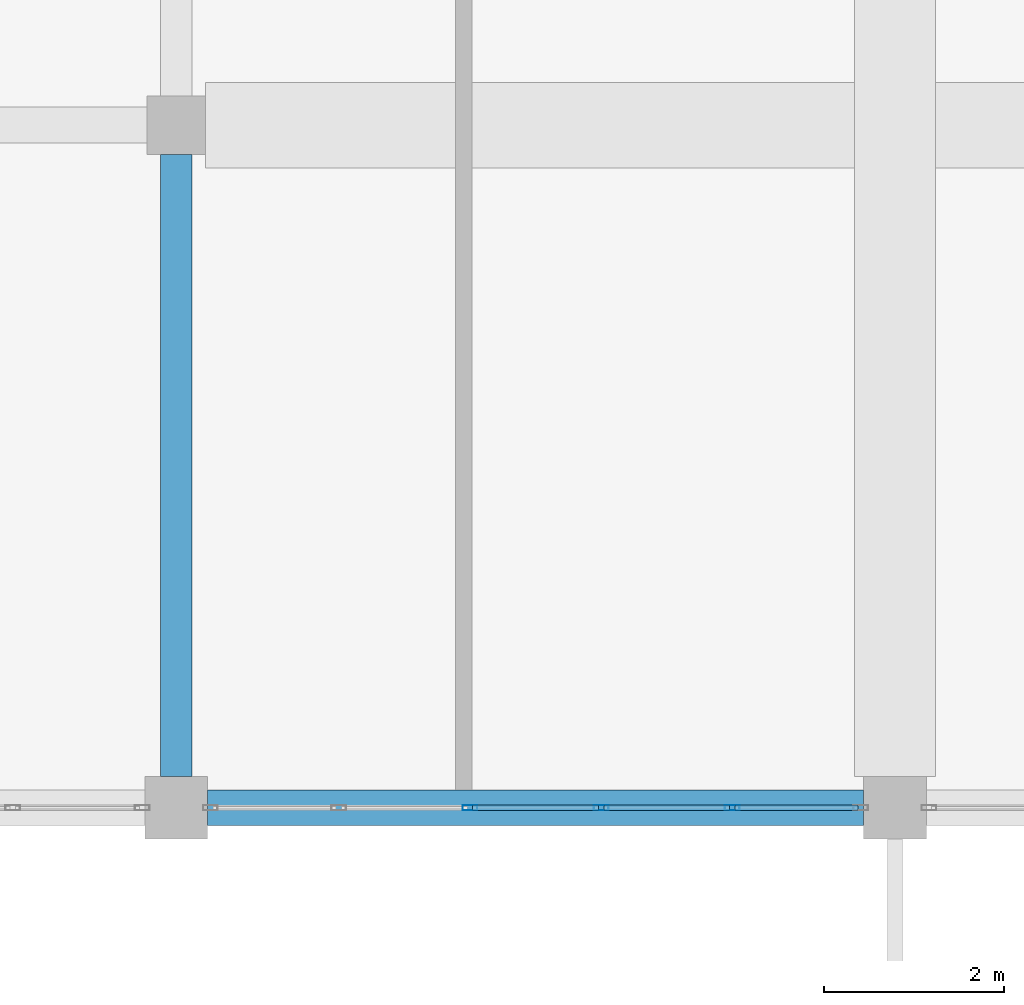
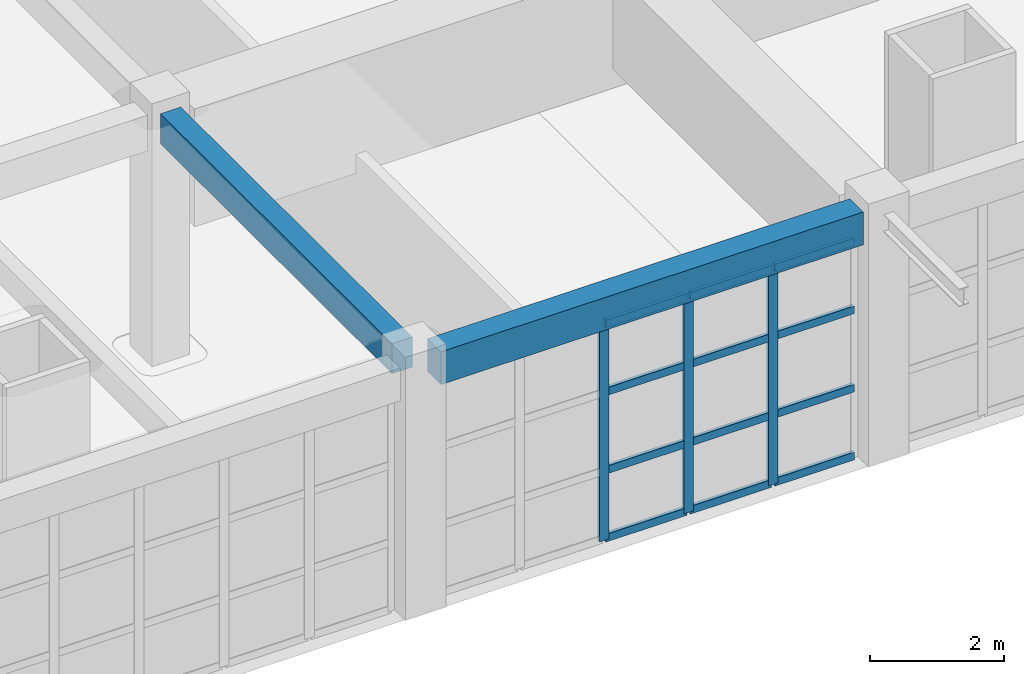
# One storey, part 5 of 50: 15 members, 2 beams, 1 element without a shape of its own.
"""IFC4 building model written with IfcOpenShell, lengths in metres."""

import ifcopenshell
import ifcopenshell.guid

model = None  # the IFC model being written
_history = None  # IfcOwnerHistory: only IFC2X3 demands one
_inside = {}  # id of a spatial element -> (the spatial element, [elements in it])
_under = {}  # id of a project, library or spatial element -> (it, [spatial elements below it])
_declared = {}  # id of a project -> (the project, [libraries it declares])
_typed = {}  # id of a type object -> (the type object, [elements of that type])
_made_of = {}  # id of a material, layer set ... -> (it, [elements and type objects made of it])


def new_model(schema):
    """Start an empty IFC model of exactly this schema.

    Asked for "IFC4X3", IfcOpenShell would pick the latest addendum, in which some entities
    have other attributes; the version numbers below select the first issue.
    IFC2X3 requires an IfcOwnerHistory on every rooted entity: one is made here for all.
    """
    global model, _history
    if schema == "IFC4X3":
        model = ifcopenshell.file(schema_version=(4, 3, 0, 0))
    else:
        model = ifcopenshell.file(schema=schema)
    _inside.clear()
    _under.clear()
    _declared.clear()
    _typed.clear()
    _made_of.clear()
    _history = None
    if model.schema == "IFC2X3":
        org = make("IfcOrganization", Name="unknown")
        user = make(
            "IfcPersonAndOrganization",
            ThePerson=make("IfcPerson", FamilyName="unknown"),
            TheOrganization=org,
        )
        app = make(
            "IfcApplication",
            ApplicationDeveloper=org,
            Version="unknown",
            ApplicationFullName="unknown",
            ApplicationIdentifier="unknown",
        )
        _history = make(
            "IfcOwnerHistory",
            OwningUser=user,
            OwningApplication=app,
            ChangeAction="ADDED",
            CreationDate=0,
        )
    return model


def make(cls, **values):
    """One entity of the class cls with the attributes given. An attribute that is None is left unset."""
    return model.create_entity(
        cls, **{name: value for name, value in values.items() if value is not None}
    )


def rooted(cls, **values):
    """An entity with a GlobalId (a new one), such as an element, a storey or a relation."""
    return make(cls, GlobalId=ifcopenshell.guid.new(), OwnerHistory=_history, **values)


def si_unit(unit_type, name, prefix=None):
    """IfcSIUnit, for example si_unit("LENGTHUNIT", "METRE", prefix="MILLI")."""
    return make("IfcSIUnit", UnitType=unit_type, Prefix=prefix, Name=name)


def assignment(units):
    """IfcUnitAssignment: the units of a project."""
    return None if units is None else make("IfcUnitAssignment", Units=units)


def point(xyz):
    """IfcCartesianPoint."""
    return None if xyz is None else make("IfcCartesianPoint", Coordinates=xyz)


def direction(xyz):
    """IfcDirection."""
    return None if xyz is None else make("IfcDirection", DirectionRatios=xyz)


def frame(location, z_axis=None, x_axis=None):
    """IfcAxis2Placement3D, a coordinate frame: its origin and axes. An axis left out is left unset."""
    return make(
        "IfcAxis2Placement3D",
        Location=point(location),
        Axis=direction(z_axis),
        RefDirection=direction(x_axis),
    )


def frame_2d(location, x_axis=None):
    """IfcAxis2Placement2D, a coordinate frame in the plane: its origin and x axis."""
    return make(
        "IfcAxis2Placement2D", Location=point(location), RefDirection=direction(x_axis)
    )


def origin():
    """The frame at (0, 0, 0) with its axes left unset."""
    return frame((0.0, 0.0, 0.0))


def origin_2d():
    """The frame at (0, 0) in the plane with its x axis left unset."""
    return frame_2d((0.0, 0.0))


def place(relative_to, where):
    """IfcLocalPlacement: puts the frame where relative to a parent placement (None: the world)."""
    return make(
        "IfcLocalPlacement", PlacementRelTo=relative_to, RelativePlacement=where
    )


def context(
    kind, dimensions, precision=None, world=None, true_north=None, identifier=None
):
    """IfcGeometricRepresentationContext, for example the 3D "Model" context."""
    return make(
        "IfcGeometricRepresentationContext",
        ContextIdentifier=identifier,
        ContextType=kind,
        CoordinateSpaceDimension=dimensions,
        Precision=precision,
        WorldCoordinateSystem=world,
        TrueNorth=true_north,
    )


def subcontext(parent, identifier, kind, view, scale=None):
    """IfcGeometricRepresentationSubContext, for example "Body" below "Model"."""
    return make(
        "IfcGeometricRepresentationSubContext",
        ContextIdentifier=identifier,
        ContextType=kind,
        ParentContext=parent,
        TargetScale=scale,
        TargetView=view,
    )


def project(units=None, contexts=None):
    """IfcProject with its units and contexts."""
    return rooted(
        "IfcProject",
        Name="project",
        RepresentationContexts=contexts,
        UnitsInContext=assignment(units),
    )


def spatial(cls, under=None, at=None, **own):
    """A site, building, storey or space (cls), placed at a placement, below another one or the project."""
    s = rooted(cls, ObjectPlacement=at, **own)
    if under is not None:
        _under.setdefault(under.id(), (under, []))[1].append(s)
    return s


def profile(cls, at=None, kind="AREA", **sizes):
    """A parametric profile (cls). Its sizes go by their IFC names, for example OverallWidth=200.0."""
    return make(cls, ProfileType=kind, Position=at, **sizes)


def rectangle(**sizes):
    """IfcRectangleProfileDef."""
    return profile("IfcRectangleProfileDef", **sizes)


def hollow_rectangle(**sizes):
    """IfcRectangleHollowProfileDef."""
    return profile("IfcRectangleHollowProfileDef", **sizes)


def extrude(swept, where, along, depth):
    """IfcExtrudedAreaSolid: the profile swept, set in the frame where, extruded along a direction by depth."""
    return make(
        "IfcExtrudedAreaSolid",
        SweptArea=swept,
        Position=where,
        ExtrudedDirection=direction(along),
        Depth=depth,
    )


def shape(context_of_items, identifier, shape_type, items):
    """IfcShapeRepresentation: the items that make up one representation, for example the "Body"."""
    return make(
        "IfcShapeRepresentation",
        ContextOfItems=context_of_items,
        RepresentationIdentifier=identifier,
        RepresentationType=shape_type,
        Items=items,
    )


def material(Name=None, Category=None):
    """IfcMaterial."""
    return make("IfcMaterial", Name=Name, Category=Category)


def material_profile(
    of_material, cross_section, Name=None, Category=None, Priority=None
):
    """IfcMaterialProfile: a cross section and its material."""
    return make(
        "IfcMaterialProfile",
        Name=Name,
        Material=of_material,
        Profile=cross_section,
        Priority=Priority,
        Category=Category,
    )


def profile_set(profiles, Name=None, composite=None):
    """IfcMaterialProfileSet."""
    return make(
        "IfcMaterialProfileSet",
        Name=Name,
        MaterialProfiles=profiles,
        CompositeProfile=composite,
    )


def made_of(thing, what):
    """Note that an element or type object is made of a material, layer set ...; save() writes the relation."""
    if what is not None:
        _made_of.setdefault(what.id(), (what, []))[1].append(thing)
    return thing


def type_object(cls, material=None, **own):
    """A type object (cls), such as IfcWallType, which elements share."""
    return made_of(rooted(cls, **own), material)


def element(
    cls,
    number,
    at=None,
    inside=None,
    cuts=None,
    type_object=None,
    material=None,
    context=None,
    identifier="Body",
    shape_type=None,
    held_by="IfcProductDefinitionShape",
    body=None,
    shapes=None,
    **own,
):
    """One element of the class cls, such as IfcWall. Its Tag is "e" and its number.

    at: its placement. inside: the storey or other place that contains it. cuts: it is an
    opening in that element (IfcRelVoidsElement). A single representation is given by context,
    identifier, shape_type and body (its items); several are given by shapes. held_by: the class
    of the entity that holds the representations. save() writes the other relations.
    """
    e = rooted(cls, Tag="e%d" % number, ObjectPlacement=at, **own)
    if body is not None:
        shapes = [shape(context, identifier, shape_type, body)]
    if shapes is not None:
        e.Representation = make(held_by, Representations=shapes)
    if inside is not None:
        _inside.setdefault(inside.id(), (inside, []))[1].append(e)
    if cuts is not None:
        rooted(
            "IfcRelVoidsElement", RelatingBuildingElement=cuts, RelatedOpeningElement=e
        )
    if type_object is not None:
        _typed.setdefault(type_object.id(), (type_object, []))[1].append(e)
    return made_of(e, material)


def aggregate(whole, parts):
    """IfcRelAggregates: a whole, such as a stair, and the parts it consists of."""
    return rooted("IfcRelAggregates", RelatingObject=whole, RelatedObjects=parts)


def save(model, path):
    """Write the relations noted so far, then the file.

    IfcRelAggregates (storeys below a building ...), IfcRelContainedInSpatialStructure (elements
    in a storey), IfcRelDefinesByType, IfcRelAssociatesMaterial and IfcRelDeclares: one each for
    every whole, place, type object, material and project.
    """
    for whole, parts in _under.values():
        aggregate(whole, parts)
    for where, things in _inside.values():
        rooted(
            "IfcRelContainedInSpatialStructure",
            RelatedElements=things,
            RelatingStructure=where,
        )
    for kind, things in _typed.values():
        rooted("IfcRelDefinesByType", RelatedObjects=things, RelatingType=kind)
    for what, things in _made_of.values():
        rooted("IfcRelAssociatesMaterial", RelatedObjects=things, RelatingMaterial=what)
    for by, libraries in _declared.values():
        rooted("IfcRelDeclares", RelatingContext=by, RelatedDefinitions=libraries)
    model.write(path)


model = new_model("IFC4")

# Units and contexts
model_context = context("Model", 3, precision=1e-05, world=origin(), true_north=direction((0.0, 1.0)))
body_context = subcontext(model_context, "Body", "Model", "MODEL_VIEW")
ifc_project = project(units=[si_unit("LENGTHUNIT", "METRE"), si_unit("AREAUNIT", "SQUARE_METRE"), si_unit("VOLUMEUNIT", "CUBIC_METRE"), si_unit("PLANEANGLEUNIT", "RADIAN"), si_unit("MASSUNIT", "GRAM", prefix="KILO")], contexts=[model_context])

# Site, building, storey
site_placement = place(None, origin())
site = spatial("IfcSite", under=ifc_project, at=site_placement, CompositionType="ELEMENT")
building_placement = place(site_placement, origin())
building = spatial("IfcBuilding", under=site, at=building_placement, Name="Zantavel Square City Hall", CompositionType="ELEMENT")
storey_placement = place(building_placement, frame((0.0, 0.0, 18.89990234375)))
storey = spatial("IfcBuildingStorey", under=building, at=storey_placement, Name="L05", CompositionType="ELEMENT", Elevation=18.89990234375)

# Curtain wall, members
ifc_material_1 = material(Name="Anodised aluminium 6063-T6", Category="aluminium")
curtain_wall_type = type_object("IfcCurtainWallType", Name="Curtain Wall TRV1 7300x3970", PredefinedType="USERDEFINED", material=ifc_material_1)
curtain_wall_placement = place(storey_placement, origin())
curtain_wall = element("IfcCurtainWall", 1, at=curtain_wall_placement, inside=storey, type_object=curtain_wall_type, Name="L05 Glazed Curtain Wall CW-L05-138", ObjectType="GLAZED CURTAIN WALL", PredefinedType="USERDEFINED")
ifc_material_profile_1 = material_profile(ifc_material_1, hollow_rectangle(XDim=0.06005859375, YDim=0.1650390625, WallThickness=0.00390625, at=origin_2d()), Name="ALU 60x165x4")
ifc_profile_set_1 = profile_set([ifc_material_profile_1], Name="Anodised aluminium 6063-T6")
member_type_1 = type_object("IfcMemberType", Name="CW Council Gallery Mullion ALU 60x165x4", PredefinedType="MULLION", material=ifc_profile_set_1)
member_1_placement = place(storey_placement, frame((70.18994140625, 30.39990234375, 0.0), z_axis=(0.0, 0.0, 1.0), x_axis=(0.0, -1.0, 0.0)))
member_1 = element("IfcMember", 2, at=member_1_placement, type_object=member_type_1, Name="CW-138 mullion 2", PredefinedType="MULLION", context=body_context, shape_type="SweptSolid", body=[
    extrude(hollow_rectangle(XDim=0.06005859375, YDim=0.1650390625, WallThickness=0.00390625, at=origin_2d()), origin(), (0.0, 0.0, 1.0), 3.97021484375),
])
member_2_placement = place(storey_placement, frame((68.72998046875, 30.39990234375, 0.0), z_axis=(0.0, 0.0, 1.0), x_axis=(0.0, -1.0, 0.0)))
member_2 = element("IfcMember", 3, at=member_2_placement, type_object=member_type_1, Name="CW-138 mullion 3", PredefinedType="MULLION", context=body_context, shape_type="SweptSolid", body=[
    extrude(hollow_rectangle(XDim=0.06005859375, YDim=0.1650390625, WallThickness=0.00390625, at=origin_2d()), origin(), (0.0, 0.0, 1.0), 3.97021484375),
])
member_3_placement = place(storey_placement, frame((67.27001953125, 30.39990234375, 0.0), z_axis=(0.0, 0.0, 1.0), x_axis=(0.0, -1.0, 0.0)))
member_3 = element("IfcMember", 4, at=member_3_placement, type_object=member_type_1, Name="CW-138 mullion 4", PredefinedType="MULLION", context=body_context, shape_type="SweptSolid", body=[
    extrude(hollow_rectangle(XDim=0.06005859375, YDim=0.1650390625, WallThickness=0.00390625, at=origin_2d()), origin(), (0.0, 0.0, 1.0), 3.97021484375),
])
ifc_material_profile_2 = material_profile(ifc_material_1, hollow_rectangle(XDim=0.06005859375, YDim=0.139892578125, WallThickness=0.00390625, at=origin_2d()), Name="ALU 60x140x4")
ifc_profile_set_2 = profile_set([ifc_material_profile_2], Name="Anodised aluminium 6063-T6")
member_type_2 = type_object("IfcMemberType", Name="CW Transom ALU 60x140x4", PredefinedType="USERDEFINED", material=ifc_profile_set_2)
member_4_placement = place(storey_placement, frame((71.590087890625, 30.39990234375, 0.030029296875), z_axis=(-1.0, 0.0, 0.0), x_axis=(0.0, -1.0, 0.0)))
member_4 = element("IfcMember", 5, at=member_4_placement, type_object=member_type_2, Name="CW-138 transom 1.1", ObjectType="TRANSOM", PredefinedType="USERDEFINED", context=body_context, shape_type="SweptSolid", body=[
    extrude(hollow_rectangle(XDim=0.06005859375, YDim=0.139892578125, WallThickness=0.00390625, at=origin_2d()), origin(), (0.0, 0.0, 1.0), 1.3701171875),
])
member_5_placement = place(storey_placement, frame((71.590087890625, 30.39990234375, 1.27001953125), z_axis=(-1.0, 0.0, 0.0), x_axis=(0.0, -1.0, 0.0)))
member_5 = element("IfcMember", 6, at=member_5_placement, type_object=member_type_2, Name="CW-138 transom 1.2", ObjectType="TRANSOM", PredefinedType="USERDEFINED", context=body_context, shape_type="SweptSolid", body=[
    extrude(hollow_rectangle(XDim=0.06005859375, YDim=0.139892578125, WallThickness=0.00390625, at=origin_2d()), origin(), (0.0, 0.0, 1.0), 1.3701171875),
])
member_6_placement = place(storey_placement, frame((71.590087890625, 30.39990234375, 2.7001953125), z_axis=(-1.0, 0.0, 0.0), x_axis=(0.0, -1.0, 0.0)))
member_6 = element("IfcMember", 7, at=member_6_placement, type_object=member_type_2, Name="CW-138 transom 1.3", ObjectType="TRANSOM", PredefinedType="USERDEFINED", context=body_context, shape_type="SweptSolid", body=[
    extrude(hollow_rectangle(XDim=0.06005859375, YDim=0.139892578125, WallThickness=0.00390625, at=origin_2d()), origin(), (0.0, 0.0, 1.0), 1.3701171875),
])
member_7_placement = place(storey_placement, frame((71.590087890625, 30.39990234375, 3.940185546875), z_axis=(-1.0, 0.0, 0.0), x_axis=(0.0, -1.0, 0.0)))
member_7 = element("IfcMember", 8, at=member_7_placement, type_object=member_type_2, Name="CW-138 transom 1.4", ObjectType="TRANSOM", PredefinedType="USERDEFINED", context=body_context, shape_type="SweptSolid", body=[
    extrude(hollow_rectangle(XDim=0.06005859375, YDim=0.139892578125, WallThickness=0.00390625, at=origin_2d()), origin(), (0.0, 0.0, 1.0), 1.3701171875),
])
member_8_placement = place(storey_placement, frame((70.159912109375, 30.39990234375, 0.030029296875), z_axis=(-1.0, 0.0, 0.0), x_axis=(0.0, -1.0, 0.0)))
member_8 = element("IfcMember", 9, at=member_8_placement, type_object=member_type_2, Name="CW-138 transom 2.1", ObjectType="TRANSOM", PredefinedType="USERDEFINED", context=body_context, shape_type="SweptSolid", body=[
    extrude(hollow_rectangle(XDim=0.06005859375, YDim=0.139892578125, WallThickness=0.00390625, at=origin_2d()), origin(), (0.0, 0.0, 1.0), 1.39990234375),
])
member_9_placement = place(storey_placement, frame((70.159912109375, 30.39990234375, 1.27001953125), z_axis=(-1.0, 0.0, 0.0), x_axis=(0.0, -1.0, 0.0)))
member_9 = element("IfcMember", 10, at=member_9_placement, type_object=member_type_2, Name="CW-138 transom 2.2", ObjectType="TRANSOM", PredefinedType="USERDEFINED", context=body_context, shape_type="SweptSolid", body=[
    extrude(hollow_rectangle(XDim=0.06005859375, YDim=0.139892578125, WallThickness=0.00390625, at=origin_2d()), origin(), (0.0, 0.0, 1.0), 1.39990234375),
])
member_10_placement = place(storey_placement, frame((70.159912109375, 30.39990234375, 2.7001953125), z_axis=(-1.0, 0.0, 0.0), x_axis=(0.0, -1.0, 0.0)))
member_10 = element("IfcMember", 11, at=member_10_placement, type_object=member_type_2, Name="CW-138 transom 2.3", ObjectType="TRANSOM", PredefinedType="USERDEFINED", context=body_context, shape_type="SweptSolid", body=[
    extrude(hollow_rectangle(XDim=0.06005859375, YDim=0.139892578125, WallThickness=0.00390625, at=origin_2d()), origin(), (0.0, 0.0, 1.0), 1.39990234375),
])
member_11_placement = place(storey_placement, frame((70.159912109375, 30.39990234375, 3.940185546875), z_axis=(-1.0, 0.0, 0.0), x_axis=(0.0, -1.0, 0.0)))
member_11 = element("IfcMember", 12, at=member_11_placement, type_object=member_type_2, Name="CW-138 transom 2.4", ObjectType="TRANSOM", PredefinedType="USERDEFINED", context=body_context, shape_type="SweptSolid", body=[
    extrude(hollow_rectangle(XDim=0.06005859375, YDim=0.139892578125, WallThickness=0.00390625, at=origin_2d()), origin(), (0.0, 0.0, 1.0), 1.39990234375),
])
member_12_placement = place(storey_placement, frame((68.699951171875, 30.39990234375, 0.030029296875), z_axis=(-1.0, 0.0, 0.0), x_axis=(0.0, -1.0, 0.0)))
member_12 = element("IfcMember", 13, at=member_12_placement, type_object=member_type_2, Name="CW-138 transom 3.1", ObjectType="TRANSOM", PredefinedType="USERDEFINED", context=body_context, shape_type="SweptSolid", body=[
    extrude(hollow_rectangle(XDim=0.06005859375, YDim=0.139892578125, WallThickness=0.00390625, at=origin_2d()), origin(), (0.0, 0.0, 1.0), 1.39990234375),
])
member_13_placement = place(storey_placement, frame((68.699951171875, 30.39990234375, 1.27001953125), z_axis=(-1.0, 0.0, 0.0), x_axis=(0.0, -1.0, 0.0)))
member_13 = element("IfcMember", 14, at=member_13_placement, type_object=member_type_2, Name="CW-138 transom 3.2", ObjectType="TRANSOM", PredefinedType="USERDEFINED", context=body_context, shape_type="SweptSolid", body=[
    extrude(hollow_rectangle(XDim=0.06005859375, YDim=0.139892578125, WallThickness=0.00390625, at=origin_2d()), origin(), (0.0, 0.0, 1.0), 1.39990234375),
])
member_14_placement = place(storey_placement, frame((68.699951171875, 30.39990234375, 2.7001953125), z_axis=(-1.0, 0.0, 0.0), x_axis=(0.0, -1.0, 0.0)))
member_14 = element("IfcMember", 15, at=member_14_placement, type_object=member_type_2, Name="CW-138 transom 3.3", ObjectType="TRANSOM", PredefinedType="USERDEFINED", context=body_context, shape_type="SweptSolid", body=[
    extrude(hollow_rectangle(XDim=0.06005859375, YDim=0.139892578125, WallThickness=0.00390625, at=origin_2d()), origin(), (0.0, 0.0, 1.0), 1.39990234375),
])
member_15_placement = place(storey_placement, frame((68.699951171875, 30.39990234375, 3.940185546875), z_axis=(-1.0, 0.0, 0.0), x_axis=(0.0, -1.0, 0.0)))
member_15 = element("IfcMember", 16, at=member_15_placement, type_object=member_type_2, Name="CW-138 transom 3.4", ObjectType="TRANSOM", PredefinedType="USERDEFINED", context=body_context, shape_type="SweptSolid", body=[
    extrude(hollow_rectangle(XDim=0.06005859375, YDim=0.139892578125, WallThickness=0.00390625, at=origin_2d()), origin(), (0.0, 0.0, 1.0), 1.39990234375),
])
aggregate(curtain_wall, [member_1, member_2, member_3, member_4, member_5, member_6, member_7, member_8, member_9, member_10, member_11, member_12, member_13, member_14, member_15])

# Beams
ifc_material_2 = material(Name="Concrete C35/45", Category="concrete")
ifc_material_profile_3 = material_profile(ifc_material_2, rectangle(XDim=0.39990234375, YDim=0.60009765625, at=origin_2d()), Name="RC 400x600")
ifc_profile_set_3 = profile_set([ifc_material_profile_3], Name="Concrete C35/45")
beam_type_1 = type_object("IfcBeamType", Name="Perimeter Spandrel RC 400x600 C35/45", PredefinedType="SPANDREL", material=ifc_profile_set_3)
beam_1_placement = place(storey_placement, frame((64.35009765625, 30.39990234375, 4.27001953125), z_axis=(1.0, 0.0, 0.0), x_axis=(0.0, 1.0, 0.0)))
element("IfcBeam", 17, at=beam_1_placement, inside=storey, type_object=beam_type_1, Name="L05 Girder BMX-L05-0640-0304", PredefinedType="SPANDREL", context=body_context, shape_type="SweptSolid", body=[
    extrude(rectangle(XDim=0.39990234375, YDim=0.60009765625, at=origin_2d()), origin(), (0.0, 0.0, 1.0), 7.2998046875),
])
ifc_material_profile_4 = material_profile(ifc_material_2, rectangle(XDim=0.35009765625, YDim=0.550048828125, at=origin_2d()), Name="RC 350x550")
ifc_profile_set_4 = profile_set([ifc_material_profile_4], Name="Concrete C35/45")
beam_type_2 = type_object("IfcBeamType", Name="Secondary Beam RC 350x550 C35/45", PredefinedType="BEAM", material=ifc_profile_set_4)
beam_2_placement = place(storey_placement, frame((64.0, 30.75, 4.295166015625), z_axis=(0.0, 1.0, 0.0), x_axis=(-1.0, 0.0, 0.0)))
element("IfcBeam", 18, at=beam_2_placement, inside=storey, type_object=beam_type_2, Name="L05 Beam BMY-L05-0640-0304", PredefinedType="BEAM", context=body_context, shape_type="SweptSolid", body=[
    extrude(rectangle(XDim=0.35009765625, YDim=0.550048828125, at=origin_2d()), origin(), (0.0, 0.0, 1.0), 6.925048828125),
])

save(model, "model.ifc")
